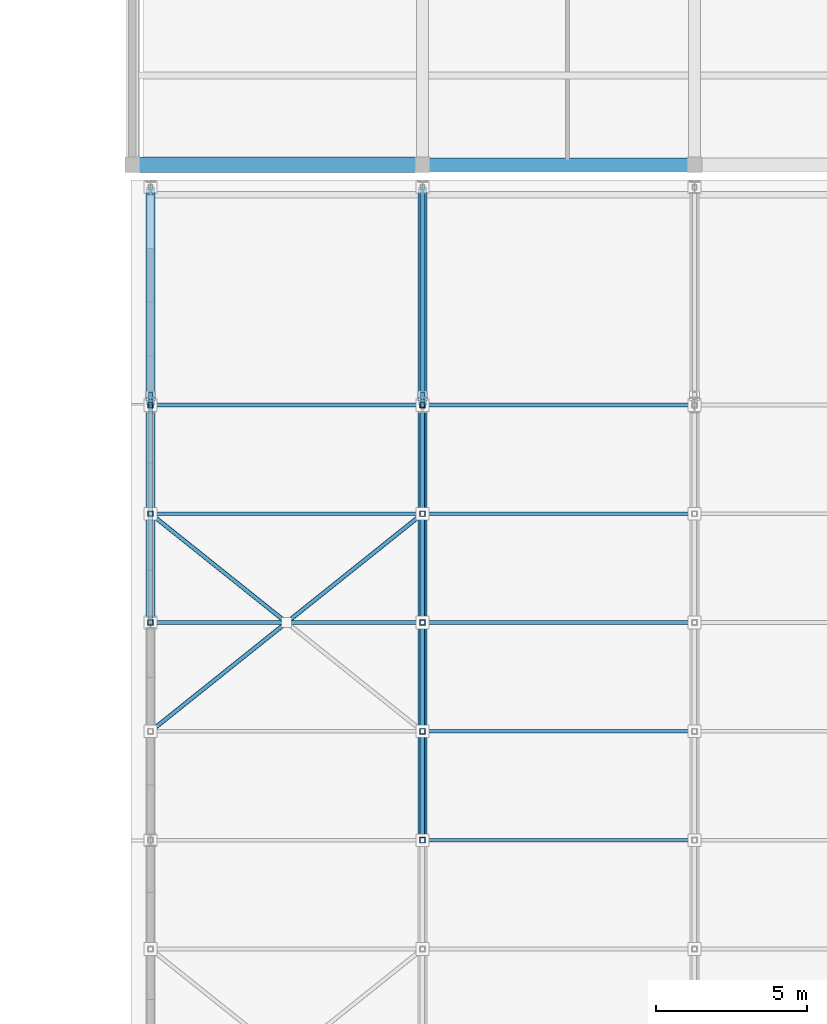
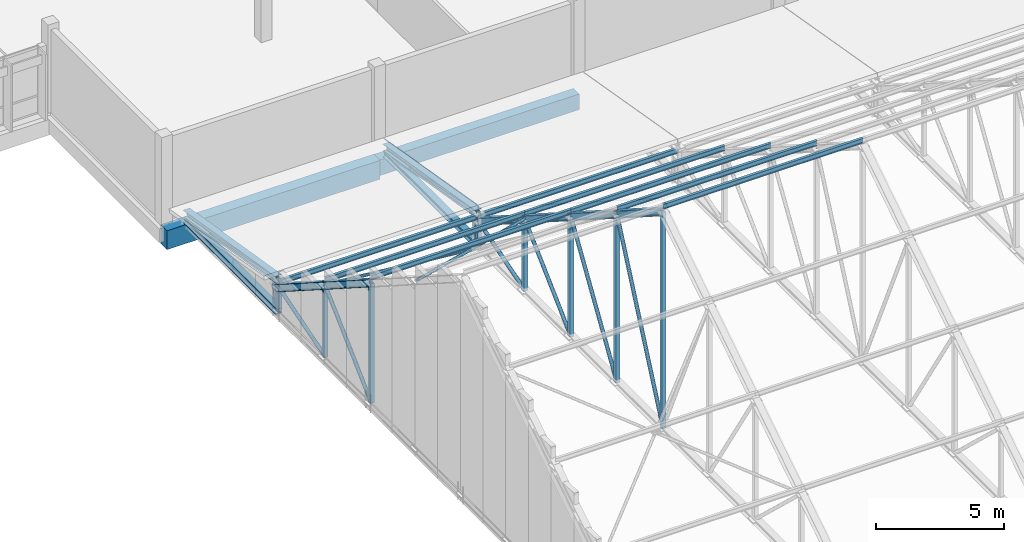
# One storey, part 84 of 182: 38 members, 2 beams.
"""IFC4 building model written with IfcOpenShell, lengths in metres."""

from ifc_helpers import new_model, si_unit, direction, frame, origin, origin_2d, place, context, subcontext, project, spatial, rectangle, hollow_rectangle, hollow_circle, i_section, extrude, material, material_profile, profile_set, type_object, element, save


model = new_model("IFC4")

# Units and contexts
model_context = context("Model", 3, precision=1e-05, world=origin(), true_north=direction((0.0, 1.0)))
body_context = subcontext(model_context, "Body", "Model", "MODEL_VIEW")
ifc_project = project(units=[si_unit("LENGTHUNIT", "METRE"), si_unit("AREAUNIT", "SQUARE_METRE"), si_unit("VOLUMEUNIT", "CUBIC_METRE"), si_unit("PLANEANGLEUNIT", "RADIAN"), si_unit("MASSUNIT", "GRAM", prefix="KILO")], contexts=[model_context])

# Site, building, storey
site_placement = place(None, origin())
site = spatial("IfcSite", under=ifc_project, at=site_placement, CompositionType="ELEMENT")
building_placement = place(site_placement, origin())
building = spatial("IfcBuilding", under=site, at=building_placement, Name="Chiffa Square Polytechnic", CompositionType="ELEMENT")
storey_placement = place(building_placement, frame((0.0, 0.0, 9.60009765625)))
storey = spatial("IfcBuildingStorey", under=building, at=storey_placement, Name="L02", CompositionType="ELEMENT", Elevation=9.60009765625)

# Beams
ifc_material_1 = material(Name="Concrete C35/45", Category="concrete")
ifc_material_profile_1 = material_profile(ifc_material_1, rectangle(XDim=0.449951171875, YDim=0.75, at=origin_2d()), Name="RC 450x750")
ifc_profile_set_1 = profile_set([ifc_material_profile_1], Name="Concrete C35/45")
beam_type_1 = type_object("IfcBeamType", Name="BM-RC-450X750", PredefinedType="BEAM", material=ifc_profile_set_1)
beam_1_placement = place(storey_placement, frame((121.199951171875, 94.949951171875, -0.695068359375), z_axis=(1.0, 0.0, 0.0), x_axis=(0.0, 1.0, 0.0)))
element("IfcBeam", 1, at=beam_1_placement, inside=storey, type_object=beam_type_1, Name="Primary floor girder BM-V5-L02-X-1212-0950", PredefinedType="BEAM", context=body_context, shape_type="SweptSolid", body=[
    extrude(rectangle(XDim=0.449951171875, YDim=0.75, at=origin_2d()), origin(), (0.0, 0.0, 1.0), 9.0),
])
ifc_material_2 = material(Name="Concrete C40/50", Category="concrete")
ifc_material_profile_2 = material_profile(ifc_material_2, rectangle(XDim=0.5, YDim=0.89990234375, at=origin_2d()), Name="RC 500x900")
ifc_profile_set_2 = profile_set([ifc_material_profile_2], Name="Concrete C40/50")
beam_type_2 = type_object("IfcBeamType", Name="BM-RC-500X900", PredefinedType="BEAM", material=ifc_profile_set_2)
beam_2_placement = place(storey_placement, frame((111.60009765625, 94.949951171875, -0.77001953125), z_axis=(1.0, 0.0, 0.0), x_axis=(0.0, 1.0, 0.0)))
element("IfcBeam", 2, at=beam_2_placement, inside=storey, type_object=beam_type_2, Name="Primary floor girder BM-V5-L02-X-1116-0950", PredefinedType="BEAM", context=body_context, shape_type="SweptSolid", body=[
    extrude(rectangle(XDim=0.5, YDim=0.89990234375, at=origin_2d()), origin(), (0.0, 0.0, 1.0), 9.599853515625),
])

# Members
ifc_material_3 = material(Name="Steel S355", Category="steel")
ifc_material_profile_3 = material_profile(ifc_material_3, hollow_circle(Radius=0.06982421875, WallThickness=0.008056640625, at=origin_2d()), Name="CHS 139.7x8")
ifc_profile_set_3 = profile_set([ifc_material_profile_3], Name="Steel S355")
member_type_1 = type_object("IfcMemberType", Name="MEM-BRC-CHS140", PredefinedType="BRACE", material=ifc_profile_set_3)
member_1_placement = place(storey_placement, frame((112.199951171875, 76.199951171875, 8.349853515625), z_axis=(0.725245496543, 0.580192462526, -0.370669227441), x_axis=(-0.624692464322, 0.780870876022, 0.0)))
element("IfcMember", 3, at=member_1_placement, inside=storey, type_object=member_type_1, Name="Workshop continuous roof X-brace BR-V2-RF-01N1", PredefinedType="BRACE", context=body_context, shape_type="SweptSolid", body=[
    extrude(hollow_circle(Radius=0.06982421875, WallThickness=0.008056640625, at=origin_2d()), origin(), (0.0, 0.0, 1.0), 12.40966796875),
])
member_2_placement = place(storey_placement, frame((112.199951171875, 83.39990234375, 3.75), z_axis=(0.725259063679, -0.58018364225, 0.370656487623), x_axis=(0.624679547852, 0.780881208953, 0.0)))
element("IfcMember", 4, at=member_2_placement, inside=storey, type_object=member_type_1, Name="Workshop split roof X-brace segment BR-V2-RF-01N2A", PredefinedType="BRACE", context=body_context, shape_type="SweptSolid", body=[
    extrude(hollow_circle(Radius=0.06982421875, WallThickness=0.008056640625, at=origin_2d()), origin(), (0.0, 0.0, 1.0), 6.20458984375),
])
ifc_material_profile_4 = material_profile(ifc_material_3, i_section(OverallWidth=0.300048828125, OverallDepth=0.31005859375, WebThickness=0.009033203125, FlangeThickness=0.015380859375, FilletRadius=0.027099609375, at=origin_2d()), Name="HEA 320")
ifc_profile_set_4 = profile_set([ifc_material_profile_4], Name="Steel S355")
member_type_2 = type_object("IfcMemberType", Name="MEM-CHORD-HEA320", PredefinedType="CHORD", material=ifc_profile_set_4)
member_3_placement = place(storey_placement, frame((112.199951171875, 79.800048828125, 6.0498046875), z_axis=(0.0, 0.84270706373, -0.538372366248), x_axis=(-1.0, 0.0, 0.0)))
element("IfcMember", 5, at=member_3_placement, inside=storey, type_object=member_type_2, Name="Workshop roof truss top chord TCT-V2-01-07", PredefinedType="CHORD", context=body_context, shape_type="SweptSolid", body=[
    extrude(i_section(OverallWidth=0.300048828125, OverallDepth=0.31005859375, WebThickness=0.009033203125, FlangeThickness=0.015380859375, FilletRadius=0.027099609375, at=origin_2d()), origin(), (0.0, 0.0, 1.0), 4.271728515625),
])
member_4_placement = place(storey_placement, frame((112.199951171875, 83.39990234375, 3.75), z_axis=(0.0, 0.84269770024, -0.538387022512), x_axis=(-1.0, 0.0, 0.0)))
element("IfcMember", 6, at=member_4_placement, inside=storey, type_object=member_type_2, Name="Workshop roof truss top chord TCT-V2-01-08", PredefinedType="CHORD", context=body_context, shape_type="SweptSolid", body=[
    extrude(i_section(OverallWidth=0.300048828125, OverallDepth=0.31005859375, WebThickness=0.009033203125, FlangeThickness=0.015380859375, FilletRadius=0.027099609375, at=origin_2d()), origin(), (0.0, 0.0, 1.0), 4.272216796875),
])
member_5_placement = place(storey_placement, frame((112.199951171875, 87.0, 1.849853515625), z_axis=(0.0, 0.986394827799, -0.164393563414), x_axis=(-1.0, 0.0, 0.0)))
element("IfcMember", 7, at=member_5_placement, inside=storey, type_object=member_type_2, Name="Workshop north shed top chord TCT-V2-SH-01", PredefinedType="CHORD", context=body_context, shape_type="SweptSolid", body=[
    extrude(i_section(OverallWidth=0.300048828125, OverallDepth=0.31005859375, WebThickness=0.009033203125, FlangeThickness=0.015380859375, FilletRadius=0.027099609375, at=origin_2d()), origin(), (0.0, 0.0, 1.0), 7.29931640625),
])
member_6_placement = place(storey_placement, frame((121.199951171875, 72.60009765625, 10.64990234375), z_axis=(0.0, 0.842681134223, -0.538412951205), x_axis=(-1.0, 0.0, 0.0)))
element("IfcMember", 8, at=member_6_placement, inside=storey, type_object=member_type_2, Name="Workshop roof truss top chord TCT-V2-02-05", PredefinedType="CHORD", context=body_context, shape_type="SweptSolid", body=[
    extrude(i_section(OverallWidth=0.300048828125, OverallDepth=0.31005859375, WebThickness=0.009033203125, FlangeThickness=0.015380859375, FilletRadius=0.027099609375, at=origin_2d()), origin(), (0.0, 0.0, 1.0), 4.27197265625),
])
member_7_placement = place(storey_placement, frame((121.199951171875, 76.199951171875, 8.349853515625), z_axis=(0.0, 0.84269770024, -0.538387022512), x_axis=(-1.0, 0.0, 0.0)))
element("IfcMember", 9, at=member_7_placement, inside=storey, type_object=member_type_2, Name="Workshop roof truss top chord TCT-V2-02-06", PredefinedType="CHORD", context=body_context, shape_type="SweptSolid", body=[
    extrude(i_section(OverallWidth=0.300048828125, OverallDepth=0.31005859375, WebThickness=0.009033203125, FlangeThickness=0.015380859375, FilletRadius=0.027099609375, at=origin_2d()), origin(), (0.0, 0.0, 1.0), 4.272216796875),
])
member_8_placement = place(storey_placement, frame((121.199951171875, 79.800048828125, 6.0498046875), z_axis=(0.0, 0.84270706373, -0.538372366248), x_axis=(-1.0, 0.0, 0.0)))
element("IfcMember", 10, at=member_8_placement, inside=storey, type_object=member_type_2, Name="Workshop roof truss top chord TCT-V2-02-07", PredefinedType="CHORD", context=body_context, shape_type="SweptSolid", body=[
    extrude(i_section(OverallWidth=0.300048828125, OverallDepth=0.31005859375, WebThickness=0.009033203125, FlangeThickness=0.015380859375, FilletRadius=0.027099609375, at=origin_2d()), origin(), (0.0, 0.0, 1.0), 4.271728515625),
])
member_9_placement = place(storey_placement, frame((121.199951171875, 83.39990234375, 3.75), z_axis=(0.0, 0.84269770024, -0.538387022512), x_axis=(-1.0, 0.0, 0.0)))
element("IfcMember", 11, at=member_9_placement, inside=storey, type_object=member_type_2, Name="Workshop roof truss top chord TCT-V2-02-08", PredefinedType="CHORD", context=body_context, shape_type="SweptSolid", body=[
    extrude(i_section(OverallWidth=0.300048828125, OverallDepth=0.31005859375, WebThickness=0.009033203125, FlangeThickness=0.015380859375, FilletRadius=0.027099609375, at=origin_2d()), origin(), (0.0, 0.0, 1.0), 4.272216796875),
])
member_10_placement = place(storey_placement, frame((121.199951171875, 87.0, 1.849853515625), z_axis=(0.0, 0.986394827799, -0.164393563414), x_axis=(-1.0, 0.0, 0.0)))
element("IfcMember", 12, at=member_10_placement, inside=storey, type_object=member_type_2, Name="Workshop north shed top chord TCT-V2-SH-02", PredefinedType="CHORD", context=body_context, shape_type="SweptSolid", body=[
    extrude(i_section(OverallWidth=0.300048828125, OverallDepth=0.31005859375, WebThickness=0.009033203125, FlangeThickness=0.015380859375, FilletRadius=0.027099609375, at=origin_2d()), origin(), (0.0, 0.0, 1.0), 7.29931640625),
])
ifc_material_profile_5 = material_profile(ifc_material_3, i_section(OverallWidth=0.300048828125, OverallDepth=0.300048828125, WebThickness=0.010986328125, FlangeThickness=0.01904296875, FilletRadius=0.027099609375, at=origin_2d()), Name="HEB 300")
ifc_profile_set_5 = profile_set([ifc_material_profile_5], Name="Steel S355")
member_type_3 = type_object("IfcMemberType", Name="MEM-CHORD-HEB300", PredefinedType="CHORD", material=ifc_profile_set_5)
for number, where, z_axis, x_axis, name in (
    (13, (112.199951171875, 87.0, 0.349853515625), (0.0, 1.0, 0.0), (-1.0, 0.0, 0.0), "Workshop north shed bottom chord TCB-V2-SH-01"),
    (14, (121.199951171875, 87.0, 0.349853515625), (0.0, 1.0, 0.0), (-1.0, 0.0, 0.0), "Workshop north shed bottom chord TCB-V2-SH-02"),
):
    element("IfcMember", number, at=place(storey_placement, frame(where, z_axis=z_axis, x_axis=x_axis)), inside=storey, type_object=member_type_3, Name=name, PredefinedType="CHORD", context=body_context, shape_type="SweptSolid", body=[
        extrude(i_section(OverallWidth=0.300048828125, OverallDepth=0.300048828125, WebThickness=0.010986328125, FlangeThickness=0.01904296875, FilletRadius=0.027099609375, at=origin_2d()), origin(), (0.0, 0.0, 1.0), 7.199951171875),
    ])
ifc_material_profile_6 = material_profile(ifc_material_3, i_section(OverallWidth=0.1201171875, OverallDepth=0.239990234375, WebThickness=0.006103515625, FlangeThickness=0.009765625, FilletRadius=0.014892578125, at=origin_2d()), Name="IPE 240")
ifc_profile_set_6 = profile_set([ifc_material_profile_6], Name="Steel S355")
member_type_4 = type_object("IfcMemberType", Name="MEM-PUR-IPE240", PredefinedType="PURLIN", material=ifc_profile_set_6)
for number, where, z_axis, x_axis, name in (
    (15, (112.199951171875, 79.800048828125, 6.2998046875), (1.0, 0.0, 0.0), (0.0, 1.0, 0.0), "Workshop steel roof purlin PU-V2-01-07"),
    (16, (112.199951171875, 83.39990234375, 4.0), (1.0, 0.0, 0.0), (0.0, 1.0, 0.0), "Workshop steel roof purlin PU-V2-01-08"),
    (17, (112.199951171875, 87.0, 1.699951171875), (1.0, 0.0, 0.0), (0.0, 1.0, 0.0), "Workshop steel roof purlin PU-V2-01-09"),
    (18, (121.199951171875, 72.60009765625, 10.89990234375), (1.0, 0.0, 0.0), (0.0, 1.0, 0.0), "Workshop steel roof purlin PU-V2-02-05"),
    (19, (121.199951171875, 76.199951171875, 8.599853515625), (1.0, 0.0, 0.0), (0.0, 1.0, 0.0), "Workshop steel roof purlin PU-V2-02-06"),
    (20, (121.199951171875, 79.800048828125, 6.2998046875), (1.0, 0.0, 0.0), (0.0, 1.0, 0.0), "Workshop steel roof purlin PU-V2-02-07"),
    (21, (121.199951171875, 83.39990234375, 4.0), (1.0, 0.0, 0.0), (0.0, 1.0, 0.0), "Workshop steel roof purlin PU-V2-02-08"),
    (22, (121.199951171875, 87.0, 1.699951171875), (1.0, 0.0, 0.0), (0.0, 1.0, 0.0), "Workshop steel roof purlin PU-V2-02-09"),
):
    element("IfcMember", number, at=place(storey_placement, frame(where, z_axis=z_axis, x_axis=x_axis)), inside=storey, type_object=member_type_4, Name=name, PredefinedType="PURLIN", context=body_context, shape_type="SweptSolid", body=[
        extrude(i_section(OverallWidth=0.1201171875, OverallDepth=0.239990234375, WebThickness=0.006103515625, FlangeThickness=0.009765625, FilletRadius=0.014892578125, at=origin_2d()), origin(), (0.0, 0.0, 1.0), 9.0),
    ])
ifc_material_profile_7 = material_profile(ifc_material_3, hollow_rectangle(XDim=0.14990234375, YDim=0.25, WallThickness=0.010009765625, at=origin_2d()), Name="RHS 250x150x10")
ifc_profile_set_7 = profile_set([ifc_material_profile_7], Name="Steel S355")
member_type_5 = type_object("IfcMemberType", Name="MEM-STRUT-RHS250", PredefinedType="STRUT", material=ifc_profile_set_7)
for number, where, z_axis, x_axis, name in (
    (23, (112.199951171875, 87.0, 0.349853515625), (0.0, 0.263135522356, 0.964758880174), (-1.0, 0.0, 0.0), "Eave outrigger strut OS-V2-N-01"),
    (24, (121.199951171875, 87.0, 0.349853515625), (0.0, 0.263135522356, 0.964758880174), (-1.0, 0.0, 0.0), "Eave outrigger strut OS-V2-N-02"),
):
    element("IfcMember", number, at=place(storey_placement, frame(where, z_axis=z_axis, x_axis=x_axis)), inside=storey, type_object=member_type_5, Name=name, PredefinedType="STRUT", context=body_context, shape_type="SweptSolid", body=[
        extrude(hollow_rectangle(XDim=0.14990234375, YDim=0.25, WallThickness=0.010009765625, at=origin_2d()), origin(), (0.0, 0.0, 1.0), 1.140380859375),
    ])
ifc_material_profile_8 = material_profile(ifc_material_3, hollow_circle(Radius=0.084228515625, WallThickness=0.010009765625, at=origin_2d()), Name="CHS 168.3x10")
ifc_profile_set_8 = profile_set([ifc_material_profile_8], Name="Steel S355")
member_type_6 = type_object("IfcMemberType", Name="MEM-WEB-CHS168", PredefinedType="MEMBER", material=ifc_profile_set_8)
member_11_placement = place(storey_placement, frame((112.199951171875, 79.800048828125, 0.349853515625), z_axis=(0.0, 0.726984438285, 0.686653935029), x_axis=(-1.0, 0.0, 0.0)))
element("IfcMember", 25, at=member_11_placement, inside=storey, type_object=member_type_6, Name="Workshop roof truss diagonal TWD-V2-01-07", PredefinedType="MEMBER", context=body_context, shape_type="SweptSolid", body=[
    extrude(hollow_circle(Radius=0.084228515625, WallThickness=0.010009765625, at=origin_2d()), origin(), (0.0, 0.0, 1.0), 4.95166015625),
])
member_12_placement = place(storey_placement, frame((112.199951171875, 83.39990234375, 0.349853515625), z_axis=(0.0, 0.956346536322, 0.292235012388), x_axis=(-1.0, 0.0, 0.0)))
element("IfcMember", 26, at=member_12_placement, inside=storey, type_object=member_type_6, Name="Workshop roof truss diagonal TWD-V2-01-08", PredefinedType="MEMBER", context=body_context, shape_type="SweptSolid", body=[
    extrude(hollow_circle(Radius=0.084228515625, WallThickness=0.010009765625, at=origin_2d()), origin(), (0.0, 0.0, 1.0), 3.764404296875),
])
member_13_placement = place(storey_placement, frame((121.199951171875, 72.60009765625, 0.349853515625), z_axis=(0.0, 0.410350791297, 0.911927753762), x_axis=(-1.0, 0.0, 0.0)))
element("IfcMember", 27, at=member_13_placement, inside=storey, type_object=member_type_6, Name="Workshop roof truss diagonal TWD-V2-02-05", PredefinedType="MEMBER", context=body_context, shape_type="SweptSolid", body=[
    extrude(hollow_circle(Radius=0.084228515625, WallThickness=0.010009765625, at=origin_2d()), origin(), (0.0, 0.0, 1.0), 8.772705078125),
])
member_14_placement = place(storey_placement, frame((121.199951171875, 76.199951171875, 0.349853515625), z_axis=(0.0, 0.53400661626, 0.845480297695), x_axis=(-1.0, 0.0, 0.0)))
element("IfcMember", 28, at=member_14_placement, inside=storey, type_object=member_type_6, Name="Workshop roof truss diagonal TWD-V2-02-06", PredefinedType="MEMBER", context=body_context, shape_type="SweptSolid", body=[
    extrude(hollow_circle(Radius=0.084228515625, WallThickness=0.010009765625, at=origin_2d()), origin(), (0.0, 0.0, 1.0), 6.74169921875),
])
member_15_placement = place(storey_placement, frame((121.199951171875, 79.800048828125, 0.349853515625), z_axis=(0.0, 0.726984438285, 0.686653935029), x_axis=(-1.0, 0.0, 0.0)))
element("IfcMember", 29, at=member_15_placement, inside=storey, type_object=member_type_6, Name="Workshop roof truss diagonal TWD-V2-02-07", PredefinedType="MEMBER", context=body_context, shape_type="SweptSolid", body=[
    extrude(hollow_circle(Radius=0.084228515625, WallThickness=0.010009765625, at=origin_2d()), origin(), (0.0, 0.0, 1.0), 4.95166015625),
])
member_16_placement = place(storey_placement, frame((121.199951171875, 83.39990234375, 0.349853515625), z_axis=(0.0, 0.956346536322, 0.292235012388), x_axis=(-1.0, 0.0, 0.0)))
element("IfcMember", 30, at=member_16_placement, inside=storey, type_object=member_type_6, Name="Workshop roof truss diagonal TWD-V2-02-08", PredefinedType="MEMBER", context=body_context, shape_type="SweptSolid", body=[
    extrude(hollow_circle(Radius=0.084228515625, WallThickness=0.010009765625, at=origin_2d()), origin(), (0.0, 0.0, 1.0), 3.764404296875),
])
ifc_material_profile_9 = material_profile(ifc_material_3, hollow_rectangle(XDim=0.159912109375, YDim=0.159912109375, WallThickness=0.008056640625, InnerFilletRadius=0.008056640625, OuterFilletRadius=0.01611328125, at=origin_2d()), Name="RHS 160x160x8")
ifc_profile_set_9 = profile_set([ifc_material_profile_9], Name="Steel S355")
member_type_7 = type_object("IfcMemberType", Name="MEM-WEB-RHS160", PredefinedType="MEMBER", material=ifc_profile_set_9)
for number, where, z_axis, x_axis, name in (
    (31, (112.199951171875, 87.0, 1.849853515625), (0.0, 0.978980143565, -0.203955579738), (-1.0, 0.0, 0.0), "Workshop north shed diagonal TWD-V2-SH-01"),
    (32, (121.199951171875, 87.0, 1.849853515625), (0.0, 0.978980143565, -0.203955579738), (-1.0, 0.0, 0.0), "Workshop north shed diagonal TWD-V2-SH-02"),
):
    element("IfcMember", number, at=place(storey_placement, frame(where, z_axis=z_axis, x_axis=x_axis)), inside=storey, type_object=member_type_7, Name=name, PredefinedType="MEMBER", context=body_context, shape_type="SweptSolid", body=[
        extrude(hollow_rectangle(XDim=0.159912109375, YDim=0.159912109375, WallThickness=0.008056640625, InnerFilletRadius=0.008056640625, OuterFilletRadius=0.01611328125, at=origin_2d()), origin(), (0.0, 0.0, 1.0), 7.3544921875),
    ])
ifc_material_profile_10 = material_profile(ifc_material_3, hollow_rectangle(XDim=0.179931640625, YDim=0.179931640625, WallThickness=0.010009765625, at=origin_2d()), Name="RHS 180x180x10")
ifc_profile_set_10 = profile_set([ifc_material_profile_10], Name="Steel S355")
member_type_8 = type_object("IfcMemberType", Name="MEM-WEB-RHS180", PredefinedType="MEMBER", material=ifc_profile_set_10)
member_17_placement = place(storey_placement, frame((112.199951171875, 79.800048828125, 0.349853515625), z_axis=(0.0, 0.0, 1.0), x_axis=(1.0, 0.0, 0.0)))
element("IfcMember", 33, at=member_17_placement, inside=storey, type_object=member_type_8, Name="Workshop roof truss vertical TWV-V2-01-07", PredefinedType="MEMBER", context=body_context, shape_type="SweptSolid", body=[
    extrude(hollow_rectangle(XDim=0.179931640625, YDim=0.179931640625, WallThickness=0.010009765625, at=origin_2d()), origin(), (0.0, 0.0, 1.0), 5.699951171875),
])
member_18_placement = place(storey_placement, frame((112.199951171875, 83.39990234375, 0.349853515625), z_axis=(0.0, 0.0, 1.0), x_axis=(1.0, 0.0, 0.0)))
element("IfcMember", 34, at=member_18_placement, inside=storey, type_object=member_type_8, Name="Workshop roof truss vertical TWV-V2-01-08", PredefinedType="MEMBER", context=body_context, shape_type="SweptSolid", body=[
    extrude(hollow_rectangle(XDim=0.179931640625, YDim=0.179931640625, WallThickness=0.010009765625, at=origin_2d()), origin(), (0.0, 0.0, 1.0), 3.400146484375),
])
member_19_placement = place(storey_placement, frame((112.199951171875, 87.0, 0.349853515625), z_axis=(0.0, 0.0, 1.0), x_axis=(1.0, 0.0, 0.0)))
element("IfcMember", 35, at=member_19_placement, inside=storey, type_object=member_type_8, Name="Workshop roof truss vertical TWV-V2-01-09", PredefinedType="MEMBER", context=body_context, shape_type="SweptSolid", body=[
    extrude(hollow_rectangle(XDim=0.179931640625, YDim=0.179931640625, WallThickness=0.010009765625, at=origin_2d()), origin(), (0.0, 0.0, 1.0), 1.10009765625),
])
member_20_placement = place(storey_placement, frame((121.199951171875, 72.60009765625, 0.349853515625), z_axis=(0.0, 0.0, 1.0), x_axis=(1.0, 0.0, 0.0)))
element("IfcMember", 36, at=member_20_placement, inside=storey, type_object=member_type_8, Name="Workshop roof truss vertical TWV-V2-02-05", PredefinedType="MEMBER", context=body_context, shape_type="SweptSolid", body=[
    extrude(hollow_rectangle(XDim=0.179931640625, YDim=0.179931640625, WallThickness=0.010009765625, at=origin_2d()), origin(), (0.0, 0.0, 1.0), 10.300048828125),
])
member_21_placement = place(storey_placement, frame((121.199951171875, 76.199951171875, 0.349853515625), z_axis=(0.0, 0.0, 1.0), x_axis=(1.0, 0.0, 0.0)))
element("IfcMember", 37, at=member_21_placement, inside=storey, type_object=member_type_8, Name="Workshop roof truss vertical TWV-V2-02-06", PredefinedType="MEMBER", context=body_context, shape_type="SweptSolid", body=[
    extrude(hollow_rectangle(XDim=0.179931640625, YDim=0.179931640625, WallThickness=0.010009765625, at=origin_2d()), origin(), (0.0, 0.0, 1.0), 8.0),
])
member_22_placement = place(storey_placement, frame((121.199951171875, 79.800048828125, 0.349853515625), z_axis=(0.0, 0.0, 1.0), x_axis=(1.0, 0.0, 0.0)))
element("IfcMember", 38, at=member_22_placement, inside=storey, type_object=member_type_8, Name="Workshop roof truss vertical TWV-V2-02-07", PredefinedType="MEMBER", context=body_context, shape_type="SweptSolid", body=[
    extrude(hollow_rectangle(XDim=0.179931640625, YDim=0.179931640625, WallThickness=0.010009765625, at=origin_2d()), origin(), (0.0, 0.0, 1.0), 5.699951171875),
])
member_23_placement = place(storey_placement, frame((121.199951171875, 83.39990234375, 0.349853515625), z_axis=(0.0, 0.0, 1.0), x_axis=(1.0, 0.0, 0.0)))
element("IfcMember", 39, at=member_23_placement, inside=storey, type_object=member_type_8, Name="Workshop roof truss vertical TWV-V2-02-08", PredefinedType="MEMBER", context=body_context, shape_type="SweptSolid", body=[
    extrude(hollow_rectangle(XDim=0.179931640625, YDim=0.179931640625, WallThickness=0.010009765625, at=origin_2d()), origin(), (0.0, 0.0, 1.0), 3.400146484375),
])
member_24_placement = place(storey_placement, frame((121.199951171875, 87.0, 0.349853515625), z_axis=(0.0, 0.0, 1.0), x_axis=(1.0, 0.0, 0.0)))
element("IfcMember", 40, at=member_24_placement, inside=storey, type_object=member_type_8, Name="Workshop roof truss vertical TWV-V2-02-09", PredefinedType="MEMBER", context=body_context, shape_type="SweptSolid", body=[
    extrude(hollow_rectangle(XDim=0.179931640625, YDim=0.179931640625, WallThickness=0.010009765625, at=origin_2d()), origin(), (0.0, 0.0, 1.0), 1.10009765625),
])

save(model, "model.ifc")
